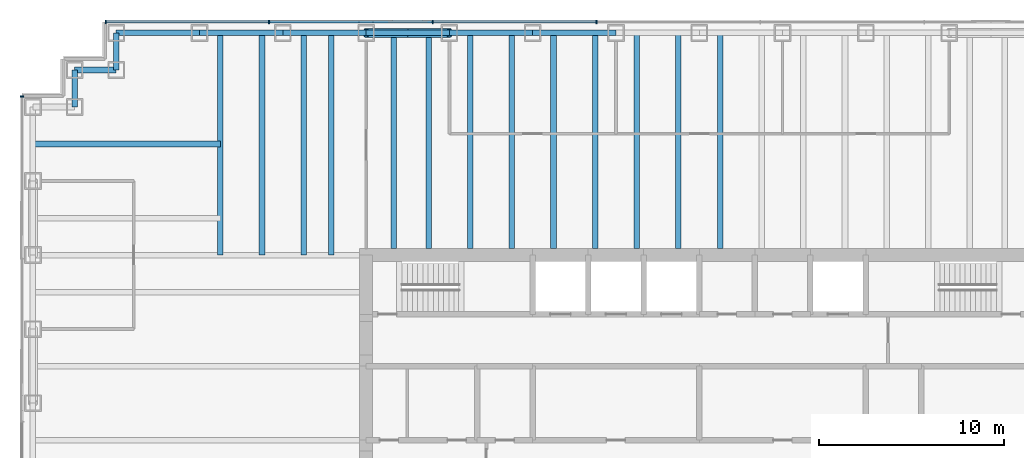
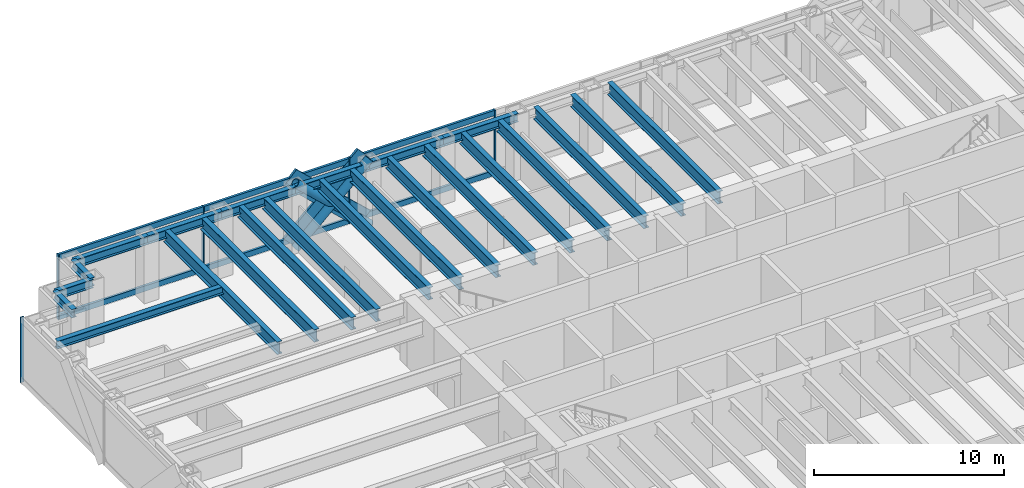
# One storey, part 6 of 17: 23 beams, 15 members, 2 elements without a shape of their own.
"""IFC4 building model written with IfcOpenShell, lengths in metres."""

from ifc_helpers import new_model, si_unit, direction, frame, origin, origin_2d, place, context, subcontext, project, spatial, rectangle, hollow_circle, i_section, extrude, material, material_profile, profile_set, type_object, element, aggregate, save


model = new_model("IFC4")

# Units and contexts
model_context = context("Model", 3, precision=1e-05, world=origin(), true_north=direction((0.0, 1.0)))
body_context = subcontext(model_context, "Body", "Model", "MODEL_VIEW")
ifc_project = project(units=[si_unit("LENGTHUNIT", "METRE"), si_unit("AREAUNIT", "SQUARE_METRE"), si_unit("VOLUMEUNIT", "CUBIC_METRE"), si_unit("PLANEANGLEUNIT", "RADIAN"), si_unit("MASSUNIT", "GRAM", prefix="KILO")], contexts=[model_context])

# Site, building, storey
site_placement = place(None, origin())
site = spatial("IfcSite", under=ifc_project, at=site_placement, CompositionType="ELEMENT")
building_placement = place(site_placement, origin())
building = spatial("IfcBuilding", under=site, at=building_placement, Name="Rheinbord Bourse Tower", CompositionType="ELEMENT")
storey_placement = place(building_placement, frame((0.0, 0.0, 287.89990234375)))
storey = spatial("IfcBuildingStorey", under=building, at=storey_placement, Name="L65", CompositionType="ELEMENT", Elevation=287.89990234375)

# Curtain wall, members
ifc_material_1 = material(Name="Dark glass and black aluminium", Category="aluminium")
curtain_wall_type = type_object("IfcCurtainWallType", Name="CW3 DARK GLASS CURTAIN WALL", PredefinedType="USERDEFINED", material=ifc_material_1)
curtain_wall_1_placement = place(storey_placement, origin())
curtain_wall_1 = element("IfcCurtainWall", 1, at=curtain_wall_1_placement, inside=storey, type_object=curtain_wall_type, Name="Curtain wall CW3 N L65", ObjectType="UNITISED CURTAIN WALL", PredefinedType="USERDEFINED")
ifc_material_2 = material(Name="Black anodised aluminium", Category="aluminium")
ifc_material_profile_1 = material_profile(ifc_material_2, rectangle(XDim=0.14990234375, YDim=1.10791015625, at=origin_2d()), Name="CW3 DIAGONAL MULLION 1108x150")
ifc_profile_set_1 = profile_set([ifc_material_profile_1], Name="Black anodised aluminium")
member_type_1 = type_object("IfcMemberType", Name="CW3 BLACK DIAGONAL MULLION", PredefinedType="USERDEFINED", material=ifc_profile_set_1)
member_1_placement = place(storey_placement, frame((22.5, 44.60009765625, 0.0), z_axis=(-0.731039441158, 0.0, 0.682335207557), x_axis=(0.0, -1.0, 0.0)))
member_1 = element("IfcMember", 2, at=member_1_placement, type_object=member_type_1, Name="CW3 diagonal mullion b", ObjectType="DIAGONAL MULLION", PredefinedType="USERDEFINED", context=body_context, shape_type="SweptSolid", body=[
    extrude(rectangle(XDim=0.14990234375, YDim=1.10791015625, at=origin_2d()), origin(), (0.0, 0.0, 1.0), 6.155517578125),
])
member_2_placement = place(storey_placement, frame((18.0, 44.60009765625, 0.0), z_axis=(0.731039441158, 0.0, 0.682335207557), x_axis=(0.0, 1.0, 0.0)))
member_2 = element("IfcMember", 3, at=member_2_placement, type_object=member_type_1, Name="CW3 diagonal mullion d", ObjectType="DIAGONAL MULLION", PredefinedType="USERDEFINED", context=body_context, shape_type="SweptSolid", body=[
    extrude(rectangle(XDim=0.14990234375, YDim=1.10791015625, at=origin_2d()), origin(), (0.0, 0.0, 1.0), 6.155517578125),
])
ifc_material_3 = material(Name="Black anodised aluminium", Category="aluminium")
ifc_material_profile_2 = material_profile(ifc_material_3, rectangle(XDim=0.199951171875, YDim=0.06494140625, at=origin_2d()), Name="CW3 MULLION 65x200")
ifc_profile_set_2 = profile_set([ifc_material_profile_2], Name="Black anodised aluminium")
member_type_2 = type_object("IfcMemberType", Name="CW3 BLACK MULLION", PredefinedType="MULLION", material=ifc_profile_set_2)
member_3_placement = place(storey_placement, frame((30.449951171875, 44.60009765625, 0.0), z_axis=(0.0, 0.0, 1.0), x_axis=(0.0, -1.0, 0.0)))
member_3 = element("IfcMember", 4, at=member_3_placement, type_object=member_type_2, Name="CW3 mullion 5", PredefinedType="MULLION", context=body_context, shape_type="SweptSolid", body=[
    extrude(rectangle(XDim=0.199951171875, YDim=0.06494140625, at=origin_2d()), origin(), (0.0, 0.0, 1.0), 4.2001953125),
])
member_4_placement = place(storey_placement, frame((21.60009765625, 44.60009765625, 0.0), z_axis=(0.0, 0.0, 1.0), x_axis=(0.0, -1.0, 0.0)))
member_4 = element("IfcMember", 5, at=member_4_placement, type_object=member_type_2, Name="CW3 mullion 6", PredefinedType="MULLION", context=body_context, shape_type="SweptSolid", body=[
    extrude(rectangle(XDim=0.199951171875, YDim=0.06494140625, at=origin_2d()), origin(), (0.0, 0.0, 1.0), 4.2001953125),
])
member_5_placement = place(storey_placement, frame((12.75, 44.60009765625, 0.0), z_axis=(0.0, 0.0, 1.0), x_axis=(0.0, -1.0, 0.0)))
member_5 = element("IfcMember", 6, at=member_5_placement, type_object=member_type_2, Name="CW3 mullion 7", PredefinedType="MULLION", context=body_context, shape_type="SweptSolid", body=[
    extrude(rectangle(XDim=0.199951171875, YDim=0.06494140625, at=origin_2d()), origin(), (0.0, 0.0, 1.0), 4.2001953125),
])
member_6_placement = place(storey_placement, frame((3.9326171875, 44.60009765625, 0.0), z_axis=(0.0, 0.0, 1.0), x_axis=(0.0, -1.0, 0.0)))
member_6 = element("IfcMember", 7, at=member_6_placement, type_object=member_type_2, Name="CW3 mullion 8", PredefinedType="MULLION", context=body_context, shape_type="SweptSolid", body=[
    extrude(rectangle(XDim=0.199951171875, YDim=0.06494140625, at=origin_2d()), origin(), (0.0, 0.0, 1.0), 4.2001953125),
])

# Curtain wall, member
curtain_wall_2_placement = place(storey_placement, origin())
curtain_wall_2 = element("IfcCurtainWall", 8, at=curtain_wall_2_placement, inside=storey, type_object=curtain_wall_type, Name="Curtain wall CW3 W L65", ObjectType="UNITISED CURTAIN WALL", PredefinedType="USERDEFINED")
member_7_placement = place(storey_placement, frame((-0.60009765625, 40.5673828125, 0.0), z_axis=(0.0, 0.0, 1.0), x_axis=(1.0, 0.0, 0.0)))
member_7 = element("IfcMember", 9, at=member_7_placement, type_object=member_type_2, Name="CW3 mullion 1", PredefinedType="MULLION", context=body_context, shape_type="SweptSolid", body=[
    extrude(rectangle(XDim=0.199951171875, YDim=0.06494140625, at=origin_2d()), origin(), (0.0, 0.0, 1.0), 4.2001953125),
])
aggregate(curtain_wall_2, [member_7])

# Member
ifc_material_4 = material(Name="Black anodised aluminium", Category="aluminium")
ifc_material_profile_3 = material_profile(ifc_material_4, rectangle(XDim=0.14990234375, YDim=0.35009765625, at=origin_2d()), Name="CW3 TRANSOM 350x150")
ifc_profile_set_3 = profile_set([ifc_material_profile_3], Name="Black anodised aluminium")
member_type_3 = type_object("IfcMemberType", Name="CW3 BLACK TRANSOM", PredefinedType="USERDEFINED", material=ifc_profile_set_3)
member_8_placement = place(storey_placement, frame((30.41748046875, 44.60009765625, 0.175048828125), z_axis=(-1.0, 0.0, 0.0), x_axis=(0.0, -1.0, 0.0)))
member_8 = element("IfcMember", 10, at=member_8_placement, type_object=member_type_3, Name="CW3 transom 5.1", ObjectType="TRANSOM", PredefinedType="USERDEFINED", context=body_context, shape_type="SweptSolid", body=[
    extrude(rectangle(XDim=0.14990234375, YDim=0.35009765625, at=origin_2d()), origin(), (0.0, 0.0, 1.0), 8.784912109375),
])

member_9_placement = place(storey_placement, frame((30.41748046875, 44.60009765625, 4.025146484375), z_axis=(-1.0, 0.0, 0.0), x_axis=(0.0, -1.0, 0.0)))
member_9 = element("IfcMember", 11, at=member_9_placement, type_object=member_type_3, Name="CW3 transom 5.2", ObjectType="TRANSOM", PredefinedType="USERDEFINED", context=body_context, shape_type="SweptSolid", body=[
    extrude(rectangle(XDim=0.14990234375, YDim=0.35009765625, at=origin_2d()), origin(), (0.0, 0.0, 1.0), 8.784912109375),
])

member_10_placement = place(storey_placement, frame((21.5673828125, 44.60009765625, 0.175048828125), z_axis=(-1.0, 0.0, 0.0), x_axis=(0.0, -1.0, 0.0)))
member_10 = element("IfcMember", 12, at=member_10_placement, type_object=member_type_3, Name="CW3 transom 6.1", ObjectType="TRANSOM", PredefinedType="USERDEFINED", context=body_context, shape_type="SweptSolid", body=[
    extrude(rectangle(XDim=0.14990234375, YDim=0.35009765625, at=origin_2d()), origin(), (0.0, 0.0, 1.0), 8.784912109375),
])

member_11_placement = place(storey_placement, frame((21.5673828125, 44.60009765625, 4.025146484375), z_axis=(-1.0, 0.0, 0.0), x_axis=(0.0, -1.0, 0.0)))
member_11 = element("IfcMember", 13, at=member_11_placement, type_object=member_type_3, Name="CW3 transom 6.2", ObjectType="TRANSOM", PredefinedType="USERDEFINED", context=body_context, shape_type="SweptSolid", body=[
    extrude(rectangle(XDim=0.14990234375, YDim=0.35009765625, at=origin_2d()), origin(), (0.0, 0.0, 1.0), 8.784912109375),
])

member_12_placement = place(storey_placement, frame((12.717529296875, 44.60009765625, 0.175048828125), z_axis=(-1.0, 0.0, 0.0), x_axis=(0.0, -1.0, 0.0)))
member_12 = element("IfcMember", 14, at=member_12_placement, type_object=member_type_3, Name="CW3 transom 7.1", ObjectType="TRANSOM", PredefinedType="USERDEFINED", context=body_context, shape_type="SweptSolid", body=[
    extrude(rectangle(XDim=0.14990234375, YDim=0.35009765625, at=origin_2d()), origin(), (0.0, 0.0, 1.0), 8.75244140625),
])

member_13_placement = place(storey_placement, frame((12.717529296875, 44.60009765625, 4.025146484375), z_axis=(-1.0, 0.0, 0.0), x_axis=(0.0, -1.0, 0.0)))
member_13 = element("IfcMember", 15, at=member_13_placement, type_object=member_type_3, Name="CW3 transom 7.2", ObjectType="TRANSOM", PredefinedType="USERDEFINED", context=body_context, shape_type="SweptSolid", body=[
    extrude(rectangle(XDim=0.14990234375, YDim=0.35009765625, at=origin_2d()), origin(), (0.0, 0.0, 1.0), 8.75244140625),
])

aggregate(curtain_wall_1, [member_3, member_4, member_5, member_6, member_8, member_9, member_10, member_11, member_12, member_13, member_1, member_2])

# Beams
ifc_material_5 = material(Name="Steel S460", Category="steel")
ifc_material_profile_4 = material_profile(ifc_material_5, i_section(OverallWidth=0.300048828125, OverallDepth=0.800048828125, WebThickness=0.017578125, FlangeThickness=0.032958984375, at=origin_2d()), Name="HEB 800")
ifc_profile_set_4 = profile_set([ifc_material_profile_4], Name="Steel S460")
beam_type_1 = type_object("IfcBeamType", Name="FLOOR BEAM HEB 800", PredefinedType="BEAM", material=ifc_profile_set_4)
for number, where, z_axis, x_axis, name in (
    (16, (10.125, 44.0, 3.64013671875), (0.0, -1.0, 0.0), (1.0, 0.0, 0.0), "Floor beam N-9a L66"),
    (17, (12.375, 44.0, 3.64013671875), (0.0, -1.0, 0.0), (1.0, 0.0, 0.0), "Floor beam N-9b L66"),
    (18, (14.625, 44.0, 3.64013671875), (0.0, -1.0, 0.0), (1.0, 0.0, 0.0), "Floor beam N-13.5a L66"),
    (19, (16.125, 44.0, 3.64013671875), (0.0, -1.0, 0.0), (1.0, 0.0, 0.0), "Floor beam N-13.5b L66"),
):
    element("IfcBeam", number, at=place(storey_placement, frame(where, z_axis=z_axis, x_axis=x_axis)), inside=storey, type_object=beam_type_1, Name=name, PredefinedType="BEAM", context=body_context, shape_type="SweptSolid", body=[
        extrude(i_section(OverallWidth=0.300048828125, OverallDepth=0.800048828125, WebThickness=0.017578125, FlangeThickness=0.032958984375, at=origin_2d()), origin(), (0.0, 0.0, 1.0), 12.0),
    ])
for number, where, z_axis, x_axis, name in (
    (20, (19.5, 44.0, 3.64013671875), (0.0, -1.0, 0.0), (1.0, 0.0, 0.0), "Floor beam N-18a L66"),
    (21, (21.375, 44.0, 3.64013671875), (0.0, -1.0, 0.0), (1.0, 0.0, 0.0), "Floor beam N-18b L66"),
    (22, (23.625, 44.0, 3.64013671875), (0.0, -1.0, 0.0), (1.0, 0.0, 0.0), "Floor beam N-22.5a L66"),
    (23, (25.875, 44.0, 3.64013671875), (0.0, -1.0, 0.0), (1.0, 0.0, 0.0), "Floor beam N-22.5b L66"),
    (24, (28.125, 44.0, 3.64013671875), (0.0, -1.0, 0.0), (1.0, 0.0, 0.0), "Floor beam N-27a L66"),
    (25, (30.375, 44.0, 3.64013671875), (0.0, -1.0, 0.0), (1.0, 0.0, 0.0), "Floor beam N-27b L66"),
    (26, (32.625, 44.0, 3.64013671875), (0.0, -1.0, 0.0), (1.0, 0.0, 0.0), "Floor beam N-31.5a L66"),
    (27, (34.875, 44.0, 3.64013671875), (0.0, -1.0, 0.0), (1.0, 0.0, 0.0), "Floor beam N-31.5b L66"),
    (28, (37.125, 44.0, 3.64013671875), (0.0, -1.0, 0.0), (1.0, 0.0, 0.0), "Floor beam N-36a L66"),
):
    element("IfcBeam", number, at=place(storey_placement, frame(where, z_axis=z_axis, x_axis=x_axis)), inside=storey, type_object=beam_type_1, Name=name, PredefinedType="BEAM", context=body_context, shape_type="SweptSolid", body=[
        extrude(i_section(OverallWidth=0.300048828125, OverallDepth=0.800048828125, WebThickness=0.017578125, FlangeThickness=0.032958984375, at=origin_2d()), origin(), (0.0, 0.0, 1.0), 11.64990234375),
    ])

# Members
ifc_material_6 = material(Name="Steel S460", Category="steel")
ifc_material_profile_5 = material_profile(ifc_material_6, hollow_circle(Radius=0.25390625, WallThickness=0.030029296875, at=origin_2d()), Name="CHS 508x30")
ifc_profile_set_5 = profile_set([ifc_material_profile_5], Name="Steel S460")
member_type_4 = type_object("IfcMemberType", Name="MEGABRACE CHS 508x30", PredefinedType="BRACE", material=ifc_profile_set_5)
for number, where, z_axis, x_axis, name in (
    (29, (22.5, 44.0, 0.0), (-0.731039441158, 0.0, 0.682335207557), (0.0, -1.0, 0.0), "Megabrace N face line b L65"),
    (30, (18.0, 44.0, 0.0), (0.731039441158, 0.0, 0.682335207557), (0.0, 1.0, 0.0), "Megabrace N face line d L65"),
):
    element("IfcMember", number, at=place(storey_placement, frame(where, z_axis=z_axis, x_axis=x_axis)), inside=storey, type_object=member_type_4, Name=name, PredefinedType="BRACE", context=body_context, shape_type="SweptSolid", body=[
        extrude(hollow_circle(Radius=0.25390625, WallThickness=0.030029296875, at=origin_2d()), origin(), (0.0, 0.0, 1.0), 6.155517578125),
    ])

# Beams
ifc_material_7 = material(Name="Steel S460", Category="steel")
ifc_material_profile_6 = material_profile(ifc_material_7, i_section(OverallWidth=0.300048828125, OverallDepth=0.550048828125, WebThickness=0.014892578125, FlangeThickness=0.029052734375, at=origin_2d()), Name="HEB 550")
ifc_profile_set_6 = profile_set([ifc_material_profile_6], Name="Steel S460")
beam_type_2 = type_object("IfcBeamType", Name="SPANDREL HEB 550", PredefinedType="SPANDREL", material=ifc_profile_set_6)
for number, where, z_axis, x_axis, name in (
    (31, (31.5, 44.0, 3.76513671875), (-1.0, 0.0, 0.0), (0.0, -1.0, 0.0), "Spandrel N-31.5-N-27 under L66"),
    (32, (27.0, 44.0, 3.76513671875), (-1.0, 0.0, 0.0), (0.0, -1.0, 0.0), "Spandrel N-27-N-22.5 under L66"),
    (33, (22.5, 44.0, 3.76513671875), (-1.0, 0.0, 0.0), (0.0, -1.0, 0.0), "Spandrel N-22.5-N-18 under L66"),
    (34, (18.0, 44.0, 3.76513671875), (-1.0, 0.0, 0.0), (0.0, -1.0, 0.0), "Spandrel N-18-N-13.5 under L66"),
    (35, (13.5, 44.0, 3.76513671875), (-1.0, 0.0, 0.0), (0.0, -1.0, 0.0), "Spandrel N-13.5-N-9 under L66"),
    (36, (9.0, 44.0, 3.76513671875), (-1.0, 0.0, 0.0), (0.0, -1.0, 0.0), "Spandrel N-9-NW-E under L66"),
):
    element("IfcBeam", number, at=place(storey_placement, frame(where, z_axis=z_axis, x_axis=x_axis)), inside=storey, type_object=beam_type_2, Name=name, PredefinedType="SPANDREL", context=body_context, shape_type="SweptSolid", body=[
        extrude(i_section(OverallWidth=0.300048828125, OverallDepth=0.550048828125, WebThickness=0.014892578125, FlangeThickness=0.029052734375, at=origin_2d()), origin(), (0.0, 0.0, 1.0), 4.5),
    ])
beam_1_placement = place(storey_placement, frame((4.5, 44.0, 3.76513671875), z_axis=(0.0, -1.0, 0.0), x_axis=(1.0, 0.0, 0.0)))
element("IfcBeam", 37, at=beam_1_placement, inside=storey, type_object=beam_type_2, Name="Spandrel NW-E-NW-D under L66", PredefinedType="SPANDREL", context=body_context, shape_type="SweptSolid", body=[
    extrude(i_section(OverallWidth=0.300048828125, OverallDepth=0.550048828125, WebThickness=0.014892578125, FlangeThickness=0.029052734375, at=origin_2d()), origin(), (0.0, 0.0, 1.0), 2.0),
])
beam_2_placement = place(storey_placement, frame((4.5, 42.0, 3.76513671875), z_axis=(-1.0, 0.0, 0.0), x_axis=(0.0, -1.0, 0.0)))
element("IfcBeam", 38, at=beam_2_placement, inside=storey, type_object=beam_type_2, Name="Spandrel NW-D-NW-C under L66", PredefinedType="SPANDREL", context=body_context, shape_type="SweptSolid", body=[
    extrude(i_section(OverallWidth=0.300048828125, OverallDepth=0.550048828125, WebThickness=0.014892578125, FlangeThickness=0.029052734375, at=origin_2d()), origin(), (0.0, 0.0, 1.0), 2.25),
])
beam_3_placement = place(storey_placement, frame((2.25, 42.0, 3.76513671875), z_axis=(0.0, -1.0, 0.0), x_axis=(1.0, 0.0, 0.0)))
element("IfcBeam", 39, at=beam_3_placement, inside=storey, type_object=beam_type_2, Name="Spandrel NW-C-NW-B under L66", PredefinedType="SPANDREL", context=body_context, shape_type="SweptSolid", body=[
    extrude(i_section(OverallWidth=0.300048828125, OverallDepth=0.550048828125, WebThickness=0.014892578125, FlangeThickness=0.029052734375, at=origin_2d()), origin(), (0.0, 0.0, 1.0), 2.0),
])
ifc_material_8 = material(Name="Steel S460", Category="steel")
ifc_material_profile_7 = material_profile(ifc_material_8, i_section(OverallWidth=0.300048828125, OverallDepth=0.5, WebThickness=0.014404296875, FlangeThickness=0.028076171875, at=origin_2d()), Name="HEB 500")
ifc_profile_set_7 = profile_set([ifc_material_profile_7], Name="Steel S460")
beam_type_3 = type_object("IfcBeamType", Name="TIE BEAM HEB 500", PredefinedType="JOIST", material=ifc_profile_set_7)
beam_4_placement = place(storey_placement, frame((0.0, 38.0, 3.7900390625), z_axis=(1.0, 0.0, 0.0), x_axis=(0.0, 1.0, 0.0)))
element("IfcBeam", 40, at=beam_4_placement, inside=storey, type_object=beam_type_3, Name="Tie west 38 L66", PredefinedType="JOIST", context=body_context, shape_type="SweptSolid", body=[
    extrude(i_section(OverallWidth=0.300048828125, OverallDepth=0.5, WebThickness=0.014404296875, FlangeThickness=0.028076171875, at=origin_2d()), origin(), (0.0, 0.0, 1.0), 10.125),
])

save(model, "model.ifc")
